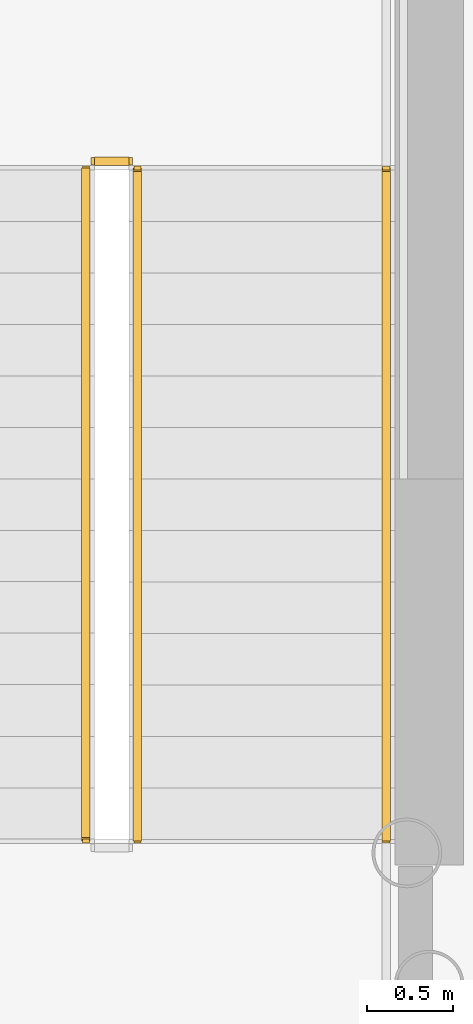
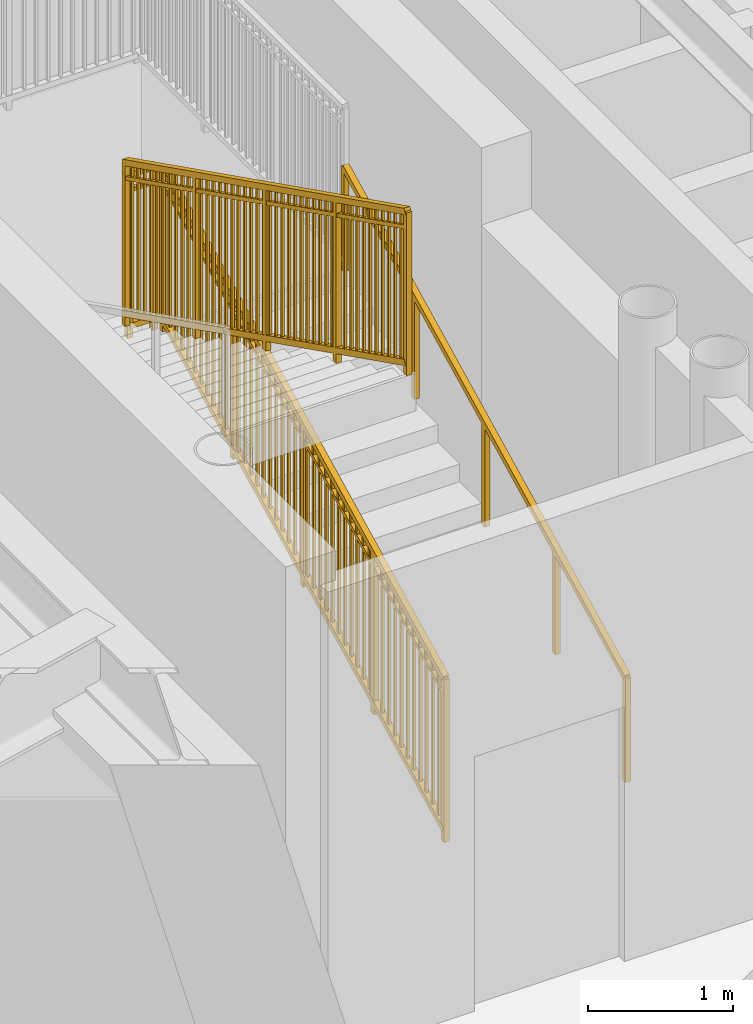
# One storey, part 16 of 21: 4 railings.
"""IFC4 building model written with IfcOpenShell, lengths in metres."""

from ifc_helpers import new_model, si_unit, direction, frame, origin, origin_2d, place, context, subcontext, project, spatial, rectangle, extrude, source, transform, mapped, material, type_object, element, save


model = new_model("IFC4")

# Units and contexts
model_context = context("Model", 3, precision=1e-05, world=origin(), true_north=direction((0.0, 1.0)))
body_context = subcontext(model_context, "Body", "Model", "MODEL_VIEW")
ifc_project = project(units=[si_unit("LENGTHUNIT", "METRE"), si_unit("AREAUNIT", "SQUARE_METRE"), si_unit("VOLUMEUNIT", "CUBIC_METRE"), si_unit("PLANEANGLEUNIT", "RADIAN"), si_unit("MASSUNIT", "GRAM", prefix="KILO")], contexts=[model_context])

# Site, building, storey
site_placement = place(None, origin())
site = spatial("IfcSite", under=ifc_project, at=site_placement, CompositionType="ELEMENT")
building_placement = place(site_placement, origin())
building = spatial("IfcBuilding", under=site, at=building_placement, Name="Linh Dai School and Residence Tower", CompositionType="ELEMENT")
storey_placement = place(building_placement, frame((0.0, 0.0, 78.60009765625)))
storey = spatial("IfcBuildingStorey", under=building, at=storey_placement, Name="L18", CompositionType="ELEMENT", Elevation=78.60009765625)

# Railings
ifc_material_1 = material(Name="Structural Steel S355JR", Category="steel")
railing_type_1 = type_object("IfcRailingType", Name="RL-ST-GUARD-1400", PredefinedType="GUARDRAIL", material=ifc_material_1)
shared_shape_1 = source(origin(), body_context, "Body", "SweptSolid", [
    extrude(rectangle(XDim=0.048095703125, YDim=0.048095703125, at=origin_2d()), frame((0.0, 0.0, 1.3759765625), z_axis=(-1.0, 0.0, 0.0), x_axis=(0.0, -1.0, 0.0)), (0.0, 0.0, 1.0), 0.199951171875),
    extrude(rectangle(XDim=0.048095703125, YDim=0.048095703125, at=origin_2d()), frame((0.0, 0.0, 0.10009765625), z_axis=(-1.0, 0.0, 0.0), x_axis=(0.0, -1.0, 0.0)), (0.0, 0.0, 1.0), 0.199951171875),
    extrude(rectangle(XDim=0.030029296875, YDim=0.030029296875, at=origin_2d()), frame((0.0, 0.0, 1.239990234375), z_axis=(-1.0, 0.0, 0.0), x_axis=(0.0, -1.0, 0.0)), (0.0, 0.0, 1.0), 0.199951171875),
    extrude(rectangle(XDim=0.0419921875, YDim=0.0419921875, at=origin_2d()), origin(), (0.0, 0.0, 1.0), 1.3759765625),
    extrude(rectangle(XDim=0.0419921875, YDim=0.0419921875, at=origin_2d()), frame((-0.199951171875, 0.0, 0.0)), (0.0, 0.0, 1.0), 1.3759765625),
])
railing_1_placement = place(storey_placement, frame((29.429931640625, 29.64990234375, 2.099853515625)))
element("IfcRailing", 1, at=railing_1_placement, inside=storey, type_object=railing_type_1, Name="L18 ST1 stair guard 2", PredefinedType="GUARDRAIL", context=body_context, shape_type="MappedRepresentation", body=[
    mapped(shared_shape_1, transform((0.0, 0.0, 0.0), x_axis=(1.0, 0.0, 0.0), y_axis=(0.0, 1.0, 0.0), z_axis=(0.0, 0.0, 1.0), scale=1.0)),
])
shared_shape_2 = source(origin(), body_context, "Body", "SweptSolid", [
    extrude(rectangle(XDim=0.048095703125, YDim=0.048095703125, at=origin_2d()), frame((0.0, 0.0, 1.3759765625), z_axis=(0.0, -0.894438388696, 0.447191199406), x_axis=(1.0, 0.0, 0.0)), (0.0, 0.0, 1.0), 4.3603515625),
    extrude(rectangle(XDim=0.048095703125, YDim=0.048095703125, at=origin_2d()), frame((0.0, 0.0, 0.10009765625), z_axis=(0.0, -0.894438388696, 0.447191199406), x_axis=(1.0, 0.0, 0.0)), (0.0, 0.0, 1.0), 4.3603515625),
    extrude(rectangle(XDim=0.030029296875, YDim=0.030029296875, at=origin_2d()), frame((0.0, 0.0, 1.239990234375), z_axis=(0.0, -0.894438388696, 0.447191199406), x_axis=(1.0, 0.0, 0.0)), (0.0, 0.0, 1.0), 4.3603515625),
    extrude(rectangle(XDim=0.02001953125, YDim=0.02001953125, at=origin_2d()), frame((0.0, -0.086669921875, 0.143310546875)), (0.0, 0.0, 1.0), 1.251708984375),
    extrude(rectangle(XDim=0.02001953125, YDim=0.02001953125, at=origin_2d()), frame((0.0, -0.17333984375, 0.186767578125)), (0.0, 0.0, 1.0), 1.251708984375),
    extrude(rectangle(XDim=0.02001953125, YDim=0.02001953125, at=origin_2d()), frame((0.0, -0.260009765625, 0.22998046875)), (0.0, 0.0, 1.0), 1.251708984375),
    extrude(rectangle(XDim=0.02001953125, YDim=0.02001953125, at=origin_2d()), frame((0.0, -0.3466796875, 0.2734375)), (0.0, 0.0, 1.0), 1.251708984375),
    extrude(rectangle(XDim=0.02001953125, YDim=0.02001953125, at=origin_2d()), frame((0.0, -0.433349609375, 0.316650390625)), (0.0, 0.0, 1.0), 1.251708984375),
    extrude(rectangle(XDim=0.02001953125, YDim=0.02001953125, at=origin_2d()), frame((0.0, -0.52001953125, 0.360107421875)), (0.0, 0.0, 1.0), 1.251708984375),
    extrude(rectangle(XDim=0.02001953125, YDim=0.02001953125, at=origin_2d()), frame((0.0, -0.606689453125, 0.4033203125)), (0.0, 0.0, 1.0), 1.251708984375),
    extrude(rectangle(XDim=0.02001953125, YDim=0.02001953125, at=origin_2d()), frame((0.0, -0.693359375, 0.44677734375)), (0.0, 0.0, 1.0), 1.251708984375),
    extrude(rectangle(XDim=0.02001953125, YDim=0.02001953125, at=origin_2d()), frame((0.0, -0.780029296875, 0.489990234375)), (0.0, 0.0, 1.0), 1.251708984375),
    extrude(rectangle(XDim=0.02001953125, YDim=0.02001953125, at=origin_2d()), frame((0.0, -0.86669921875, 0.533447265625)), (0.0, 0.0, 1.0), 1.251708984375),
    extrude(rectangle(XDim=0.02001953125, YDim=0.02001953125, at=origin_2d()), frame((0.0, -1.0400390625, 0.6201171875)), (0.0, 0.0, 1.0), 1.251708984375),
    extrude(rectangle(XDim=0.02001953125, YDim=0.02001953125, at=origin_2d()), frame((0.0, -1.126708984375, 0.663330078125)), (0.0, 0.0, 1.0), 1.251708984375),
    extrude(rectangle(XDim=0.02001953125, YDim=0.02001953125, at=origin_2d()), frame((0.0, -1.21337890625, 0.706787109375)), (0.0, 0.0, 1.0), 1.251708984375),
    extrude(rectangle(XDim=0.02001953125, YDim=0.02001953125, at=origin_2d()), frame((0.0, -1.300048828125, 0.75)), (0.0, 0.0, 1.0), 1.251708984375),
    extrude(rectangle(XDim=0.02001953125, YDim=0.02001953125, at=origin_2d()), frame((0.0, -1.38671875, 0.79345703125)), (0.0, 0.0, 1.0), 1.251708984375),
    extrude(rectangle(XDim=0.02001953125, YDim=0.02001953125, at=origin_2d()), frame((0.0, -1.473388671875, 0.836669921875)), (0.0, 0.0, 1.0), 1.251708984375),
    extrude(rectangle(XDim=0.02001953125, YDim=0.02001953125, at=origin_2d()), frame((0.0, -1.56005859375, 0.880126953125)), (0.0, 0.0, 1.0), 1.251708984375),
    extrude(rectangle(XDim=0.02001953125, YDim=0.02001953125, at=origin_2d()), frame((0.0, -1.646728515625, 0.92333984375)), (0.0, 0.0, 1.0), 1.251708984375),
    extrude(rectangle(XDim=0.02001953125, YDim=0.02001953125, at=origin_2d()), frame((0.0, -1.7333984375, 0.966796875)), (0.0, 0.0, 1.0), 1.251708984375),
    extrude(rectangle(XDim=0.02001953125, YDim=0.02001953125, at=origin_2d()), frame((0.0, -1.820068359375, 1.010009765625)), (0.0, 0.0, 1.0), 1.251708984375),
    extrude(rectangle(XDim=0.02001953125, YDim=0.02001953125, at=origin_2d()), frame((0.0, -1.90673828125, 1.053466796875)), (0.0, 0.0, 1.0), 1.251708984375),
    extrude(rectangle(XDim=0.02001953125, YDim=0.02001953125, at=origin_2d()), frame((0.0, -1.993408203125, 1.0966796875)), (0.0, 0.0, 1.0), 1.251708984375),
    extrude(rectangle(XDim=0.02001953125, YDim=0.02001953125, at=origin_2d()), frame((0.0, -2.080078125, 1.14013671875)), (0.0, 0.0, 1.0), 1.251708984375),
    extrude(rectangle(XDim=0.02001953125, YDim=0.02001953125, at=origin_2d()), frame((0.0, -2.166748046875, 1.183349609375)), (0.0, 0.0, 1.0), 1.251708984375),
    extrude(rectangle(XDim=0.02001953125, YDim=0.02001953125, at=origin_2d()), frame((0.0, -2.25341796875, 1.226806640625)), (0.0, 0.0, 1.0), 1.251708984375),
    extrude(rectangle(XDim=0.02001953125, YDim=0.02001953125, at=origin_2d()), frame((0.0, -2.340087890625, 1.27001953125)), (0.0, 0.0, 1.0), 1.251708984375),
    extrude(rectangle(XDim=0.02001953125, YDim=0.02001953125, at=origin_2d()), frame((0.0, -2.4267578125, 1.3134765625)), (0.0, 0.0, 1.0), 1.251708984375),
    extrude(rectangle(XDim=0.02001953125, YDim=0.02001953125, at=origin_2d()), frame((0.0, -2.513427734375, 1.356689453125)), (0.0, 0.0, 1.0), 1.251708984375),
    extrude(rectangle(XDim=0.02001953125, YDim=0.02001953125, at=origin_2d()), frame((0.0, -2.60009765625, 1.400146484375)), (0.0, 0.0, 1.0), 1.251708984375),
    extrude(rectangle(XDim=0.02001953125, YDim=0.02001953125, at=origin_2d()), frame((0.0, -2.686767578125, 1.443359375)), (0.0, 0.0, 1.0), 1.251708984375),
    extrude(rectangle(XDim=0.02001953125, YDim=0.02001953125, at=origin_2d()), frame((0.0, -2.7734375, 1.48681640625)), (0.0, 0.0, 1.0), 1.251708984375),
    extrude(rectangle(XDim=0.02001953125, YDim=0.02001953125, at=origin_2d()), frame((0.0, -2.860107421875, 1.530029296875)), (0.0, 0.0, 1.0), 1.251708984375),
    extrude(rectangle(XDim=0.02001953125, YDim=0.02001953125, at=origin_2d()), frame((0.0, -3.033447265625, 1.61669921875)), (0.0, 0.0, 1.0), 1.251708984375),
    extrude(rectangle(XDim=0.02001953125, YDim=0.02001953125, at=origin_2d()), frame((0.0, -3.1201171875, 1.66015625)), (0.0, 0.0, 1.0), 1.251708984375),
    extrude(rectangle(XDim=0.02001953125, YDim=0.02001953125, at=origin_2d()), frame((0.0, -3.206787109375, 1.703369140625)), (0.0, 0.0, 1.0), 1.251708984375),
    extrude(rectangle(XDim=0.02001953125, YDim=0.02001953125, at=origin_2d()), frame((0.0, -3.29345703125, 1.746826171875)), (0.0, 0.0, 1.0), 1.251708984375),
    extrude(rectangle(XDim=0.02001953125, YDim=0.02001953125, at=origin_2d()), frame((0.0, -3.380126953125, 1.7900390625)), (0.0, 0.0, 1.0), 1.251708984375),
    extrude(rectangle(XDim=0.02001953125, YDim=0.02001953125, at=origin_2d()), frame((0.0, -3.466796875, 1.83349609375)), (0.0, 0.0, 1.0), 1.251708984375),
    extrude(rectangle(XDim=0.02001953125, YDim=0.02001953125, at=origin_2d()), frame((0.0, -3.553466796875, 1.876708984375)), (0.0, 0.0, 1.0), 1.251708984375),
    extrude(rectangle(XDim=0.02001953125, YDim=0.02001953125, at=origin_2d()), frame((0.0, -3.64013671875, 1.920166015625)), (0.0, 0.0, 1.0), 1.251708984375),
    extrude(rectangle(XDim=0.02001953125, YDim=0.02001953125, at=origin_2d()), frame((0.0, -3.726806640625, 1.96337890625)), (0.0, 0.0, 1.0), 1.251708984375),
    extrude(rectangle(XDim=0.02001953125, YDim=0.02001953125, at=origin_2d()), frame((0.0, -3.8134765625, 2.0068359375)), (0.0, 0.0, 1.0), 1.251708984375),
    extrude(rectangle(XDim=0.0419921875, YDim=0.0419921875, at=origin_2d()), origin(), (0.0, 0.0, 1.0), 1.3759765625),
    extrude(rectangle(XDim=0.0419921875, YDim=0.0419921875, at=origin_2d()), frame((0.0, -0.97509765625, 0.487548828125)), (0.0, 0.0, 1.0), 1.3759765625),
    extrude(rectangle(XDim=0.0419921875, YDim=0.0419921875, at=origin_2d()), frame((0.0, -1.9501953125, 0.97509765625)), (0.0, 0.0, 1.0), 1.3759765625),
    extrude(rectangle(XDim=0.0419921875, YDim=0.0419921875, at=origin_2d()), frame((0.0, -2.925048828125, 1.46240234375)), (0.0, 0.0, 1.0), 1.3759765625),
    extrude(rectangle(XDim=0.0419921875, YDim=0.0419921875, at=origin_2d()), frame((0.0, -3.900146484375, 1.949951171875)), (0.0, 0.0, 1.0), 1.3759765625),
])
railing_2_placement = place(storey_placement, frame((29.179931640625, 29.60009765625, 2.25)))
element("IfcRailing", 2, at=railing_2_placement, inside=storey, type_object=railing_type_1, Name="L18 ST1 stair guard 6", PredefinedType="GUARDRAIL", context=body_context, shape_type="MappedRepresentation", body=[
    mapped(shared_shape_2, transform((0.0, 0.0, 0.0), x_axis=(1.0, 0.0, 0.0), y_axis=(0.0, 1.0, 0.0), z_axis=(0.0, 0.0, 1.0), scale=1.0)),
])
shared_shape_3 = source(origin(), body_context, "Body", "SweptSolid", [
    extrude(rectangle(XDim=0.048095703125, YDim=0.048095703125, at=origin_2d()), frame((0.0, 0.0, 1.3759765625), z_axis=(0.0, 0.894438388696, 0.447191199406), x_axis=(-1.0, 0.0, 0.0)), (0.0, 0.0, 1.0), 4.3603515625),
    extrude(rectangle(XDim=0.048095703125, YDim=0.048095703125, at=origin_2d()), frame((0.0, 0.0, 0.10009765625), z_axis=(0.0, 0.894438388696, 0.447191199406), x_axis=(-1.0, 0.0, 0.0)), (0.0, 0.0, 1.0), 4.3603515625),
    extrude(rectangle(XDim=0.030029296875, YDim=0.030029296875, at=origin_2d()), frame((0.0, 0.0, 1.239990234375), z_axis=(0.0, 0.894438388696, 0.447191199406), x_axis=(-1.0, 0.0, 0.0)), (0.0, 0.0, 1.0), 4.3603515625),
    extrude(rectangle(XDim=0.02001953125, YDim=0.02001953125, at=origin_2d()), frame((0.0, 0.086669921875, 0.143310546875)), (0.0, 0.0, 1.0), 1.251708984375),
    extrude(rectangle(XDim=0.02001953125, YDim=0.02001953125, at=origin_2d()), frame((0.0, 0.17333984375, 0.186767578125)), (0.0, 0.0, 1.0), 1.251708984375),
    extrude(rectangle(XDim=0.02001953125, YDim=0.02001953125, at=origin_2d()), frame((0.0, 0.260009765625, 0.22998046875)), (0.0, 0.0, 1.0), 1.251708984375),
    extrude(rectangle(XDim=0.02001953125, YDim=0.02001953125, at=origin_2d()), frame((0.0, 0.3466796875, 0.2734375)), (0.0, 0.0, 1.0), 1.251708984375),
    extrude(rectangle(XDim=0.02001953125, YDim=0.02001953125, at=origin_2d()), frame((0.0, 0.433349609375, 0.316650390625)), (0.0, 0.0, 1.0), 1.251708984375),
    extrude(rectangle(XDim=0.02001953125, YDim=0.02001953125, at=origin_2d()), frame((0.0, 0.52001953125, 0.360107421875)), (0.0, 0.0, 1.0), 1.251708984375),
    extrude(rectangle(XDim=0.02001953125, YDim=0.02001953125, at=origin_2d()), frame((0.0, 0.606689453125, 0.4033203125)), (0.0, 0.0, 1.0), 1.251708984375),
    extrude(rectangle(XDim=0.02001953125, YDim=0.02001953125, at=origin_2d()), frame((0.0, 0.693359375, 0.44677734375)), (0.0, 0.0, 1.0), 1.251708984375),
    extrude(rectangle(XDim=0.02001953125, YDim=0.02001953125, at=origin_2d()), frame((0.0, 0.780029296875, 0.489990234375)), (0.0, 0.0, 1.0), 1.251708984375),
    extrude(rectangle(XDim=0.02001953125, YDim=0.02001953125, at=origin_2d()), frame((0.0, 0.86669921875, 0.533447265625)), (0.0, 0.0, 1.0), 1.251708984375),
    extrude(rectangle(XDim=0.02001953125, YDim=0.02001953125, at=origin_2d()), frame((0.0, 1.0400390625, 0.6201171875)), (0.0, 0.0, 1.0), 1.251708984375),
    extrude(rectangle(XDim=0.02001953125, YDim=0.02001953125, at=origin_2d()), frame((0.0, 1.126708984375, 0.663330078125)), (0.0, 0.0, 1.0), 1.251708984375),
    extrude(rectangle(XDim=0.02001953125, YDim=0.02001953125, at=origin_2d()), frame((0.0, 1.21337890625, 0.706787109375)), (0.0, 0.0, 1.0), 1.251708984375),
    extrude(rectangle(XDim=0.02001953125, YDim=0.02001953125, at=origin_2d()), frame((0.0, 1.300048828125, 0.75)), (0.0, 0.0, 1.0), 1.251708984375),
    extrude(rectangle(XDim=0.02001953125, YDim=0.02001953125, at=origin_2d()), frame((0.0, 1.38671875, 0.79345703125)), (0.0, 0.0, 1.0), 1.251708984375),
    extrude(rectangle(XDim=0.02001953125, YDim=0.02001953125, at=origin_2d()), frame((0.0, 1.473388671875, 0.836669921875)), (0.0, 0.0, 1.0), 1.251708984375),
    extrude(rectangle(XDim=0.02001953125, YDim=0.02001953125, at=origin_2d()), frame((0.0, 1.56005859375, 0.880126953125)), (0.0, 0.0, 1.0), 1.251708984375),
    extrude(rectangle(XDim=0.02001953125, YDim=0.02001953125, at=origin_2d()), frame((0.0, 1.646728515625, 0.92333984375)), (0.0, 0.0, 1.0), 1.251708984375),
    extrude(rectangle(XDim=0.02001953125, YDim=0.02001953125, at=origin_2d()), frame((0.0, 1.7333984375, 0.966796875)), (0.0, 0.0, 1.0), 1.251708984375),
    extrude(rectangle(XDim=0.02001953125, YDim=0.02001953125, at=origin_2d()), frame((0.0, 1.820068359375, 1.010009765625)), (0.0, 0.0, 1.0), 1.251708984375),
    extrude(rectangle(XDim=0.02001953125, YDim=0.02001953125, at=origin_2d()), frame((0.0, 1.90673828125, 1.053466796875)), (0.0, 0.0, 1.0), 1.251708984375),
    extrude(rectangle(XDim=0.02001953125, YDim=0.02001953125, at=origin_2d()), frame((0.0, 1.993408203125, 1.0966796875)), (0.0, 0.0, 1.0), 1.251708984375),
    extrude(rectangle(XDim=0.02001953125, YDim=0.02001953125, at=origin_2d()), frame((0.0, 2.080078125, 1.14013671875)), (0.0, 0.0, 1.0), 1.251708984375),
    extrude(rectangle(XDim=0.02001953125, YDim=0.02001953125, at=origin_2d()), frame((0.0, 2.166748046875, 1.183349609375)), (0.0, 0.0, 1.0), 1.251708984375),
    extrude(rectangle(XDim=0.02001953125, YDim=0.02001953125, at=origin_2d()), frame((0.0, 2.25341796875, 1.226806640625)), (0.0, 0.0, 1.0), 1.251708984375),
    extrude(rectangle(XDim=0.02001953125, YDim=0.02001953125, at=origin_2d()), frame((0.0, 2.340087890625, 1.27001953125)), (0.0, 0.0, 1.0), 1.251708984375),
    extrude(rectangle(XDim=0.02001953125, YDim=0.02001953125, at=origin_2d()), frame((0.0, 2.4267578125, 1.3134765625)), (0.0, 0.0, 1.0), 1.251708984375),
    extrude(rectangle(XDim=0.02001953125, YDim=0.02001953125, at=origin_2d()), frame((0.0, 2.513427734375, 1.356689453125)), (0.0, 0.0, 1.0), 1.251708984375),
    extrude(rectangle(XDim=0.02001953125, YDim=0.02001953125, at=origin_2d()), frame((0.0, 2.60009765625, 1.400146484375)), (0.0, 0.0, 1.0), 1.251708984375),
    extrude(rectangle(XDim=0.02001953125, YDim=0.02001953125, at=origin_2d()), frame((0.0, 2.686767578125, 1.443359375)), (0.0, 0.0, 1.0), 1.251708984375),
    extrude(rectangle(XDim=0.02001953125, YDim=0.02001953125, at=origin_2d()), frame((0.0, 2.7734375, 1.48681640625)), (0.0, 0.0, 1.0), 1.251708984375),
    extrude(rectangle(XDim=0.02001953125, YDim=0.02001953125, at=origin_2d()), frame((0.0, 2.860107421875, 1.530029296875)), (0.0, 0.0, 1.0), 1.251708984375),
    extrude(rectangle(XDim=0.02001953125, YDim=0.02001953125, at=origin_2d()), frame((0.0, 3.033447265625, 1.61669921875)), (0.0, 0.0, 1.0), 1.251708984375),
    extrude(rectangle(XDim=0.02001953125, YDim=0.02001953125, at=origin_2d()), frame((0.0, 3.1201171875, 1.66015625)), (0.0, 0.0, 1.0), 1.251708984375),
    extrude(rectangle(XDim=0.02001953125, YDim=0.02001953125, at=origin_2d()), frame((0.0, 3.206787109375, 1.703369140625)), (0.0, 0.0, 1.0), 1.251708984375),
    extrude(rectangle(XDim=0.02001953125, YDim=0.02001953125, at=origin_2d()), frame((0.0, 3.29345703125, 1.746826171875)), (0.0, 0.0, 1.0), 1.251708984375),
    extrude(rectangle(XDim=0.02001953125, YDim=0.02001953125, at=origin_2d()), frame((0.0, 3.380126953125, 1.7900390625)), (0.0, 0.0, 1.0), 1.251708984375),
    extrude(rectangle(XDim=0.02001953125, YDim=0.02001953125, at=origin_2d()), frame((0.0, 3.466796875, 1.83349609375)), (0.0, 0.0, 1.0), 1.251708984375),
    extrude(rectangle(XDim=0.02001953125, YDim=0.02001953125, at=origin_2d()), frame((0.0, 3.553466796875, 1.876708984375)), (0.0, 0.0, 1.0), 1.251708984375),
    extrude(rectangle(XDim=0.02001953125, YDim=0.02001953125, at=origin_2d()), frame((0.0, 3.64013671875, 1.920166015625)), (0.0, 0.0, 1.0), 1.251708984375),
    extrude(rectangle(XDim=0.02001953125, YDim=0.02001953125, at=origin_2d()), frame((0.0, 3.726806640625, 1.96337890625)), (0.0, 0.0, 1.0), 1.251708984375),
    extrude(rectangle(XDim=0.02001953125, YDim=0.02001953125, at=origin_2d()), frame((0.0, 3.8134765625, 2.0068359375)), (0.0, 0.0, 1.0), 1.251708984375),
    extrude(rectangle(XDim=0.0419921875, YDim=0.0419921875, at=origin_2d()), origin(), (0.0, 0.0, 1.0), 1.3759765625),
    extrude(rectangle(XDim=0.0419921875, YDim=0.0419921875, at=origin_2d()), frame((0.0, 0.97509765625, 0.487548828125)), (0.0, 0.0, 1.0), 1.3759765625),
    extrude(rectangle(XDim=0.0419921875, YDim=0.0419921875, at=origin_2d()), frame((0.0, 1.9501953125, 0.97509765625)), (0.0, 0.0, 1.0), 1.3759765625),
    extrude(rectangle(XDim=0.0419921875, YDim=0.0419921875, at=origin_2d()), frame((0.0, 2.925048828125, 1.46240234375)), (0.0, 0.0, 1.0), 1.3759765625),
    extrude(rectangle(XDim=0.0419921875, YDim=0.0419921875, at=origin_2d()), frame((0.0, 3.900146484375, 1.949951171875)), (0.0, 0.0, 1.0), 1.3759765625),
])
railing_3_placement = place(storey_placement, frame((29.47998046875, 25.699951171875, 0.14990234375)))
element("IfcRailing", 3, at=railing_3_placement, inside=storey, type_object=railing_type_1, Name="L18 ST1 stair guard 1", PredefinedType="GUARDRAIL", context=body_context, shape_type="MappedRepresentation", body=[
    mapped(shared_shape_3, transform((0.0, 0.0, 0.0), x_axis=(1.0, 0.0, 0.0), y_axis=(0.0, 1.0, 0.0), z_axis=(0.0, 0.0, 1.0), scale=1.0)),
])
ifc_material_2 = material(Name="Brushed Stainless Steel Handrail", Category="steel")
railing_type_2 = type_object("IfcRailingType", Name="RL-ST-HANDRAIL-900", PredefinedType="HANDRAIL", material=ifc_material_2)
shared_shape_4 = source(origin(), body_context, "Body", "SweptSolid", [
    extrude(rectangle(XDim=0.048095703125, YDim=0.048095703125, at=origin_2d()), frame((0.0, 0.0, 0.8759765625), z_axis=(0.0, 0.894438388696, 0.447191199406), x_axis=(-1.0, 0.0, 0.0)), (0.0, 0.0, 1.0), 4.3603515625),
    extrude(rectangle(XDim=0.0419921875, YDim=0.0419921875, at=origin_2d()), origin(), (0.0, 0.0, 1.0), 0.8759765625),
    extrude(rectangle(XDim=0.0419921875, YDim=0.0419921875, at=origin_2d()), frame((0.0, 0.97509765625, 0.487548828125)), (0.0, 0.0, 1.0), 0.8759765625),
    extrude(rectangle(XDim=0.0419921875, YDim=0.0419921875, at=origin_2d()), frame((0.0, 1.9501953125, 0.97509765625)), (0.0, 0.0, 1.0), 0.8759765625),
    extrude(rectangle(XDim=0.0419921875, YDim=0.0419921875, at=origin_2d()), frame((0.0, 2.925048828125, 1.46240234375)), (0.0, 0.0, 1.0), 0.8759765625),
    extrude(rectangle(XDim=0.0419921875, YDim=0.0419921875, at=origin_2d()), frame((0.0, 3.900146484375, 1.949951171875)), (0.0, 0.0, 1.0), 0.8759765625),
])
railing_4_placement = place(storey_placement, frame((30.929931640625, 25.699951171875, 0.14990234375)))
element("IfcRailing", 4, at=railing_4_placement, inside=storey, type_object=railing_type_2, Name="L18 ST1 stair handrail 1", PredefinedType="HANDRAIL", context=body_context, shape_type="MappedRepresentation", body=[
    mapped(shared_shape_4, transform((0.0, 0.0, 0.0), x_axis=(1.0, 0.0, 0.0), y_axis=(0.0, 1.0, 0.0), z_axis=(0.0, 0.0, 1.0), scale=1.0)),
])

save(model, "model.ifc")
